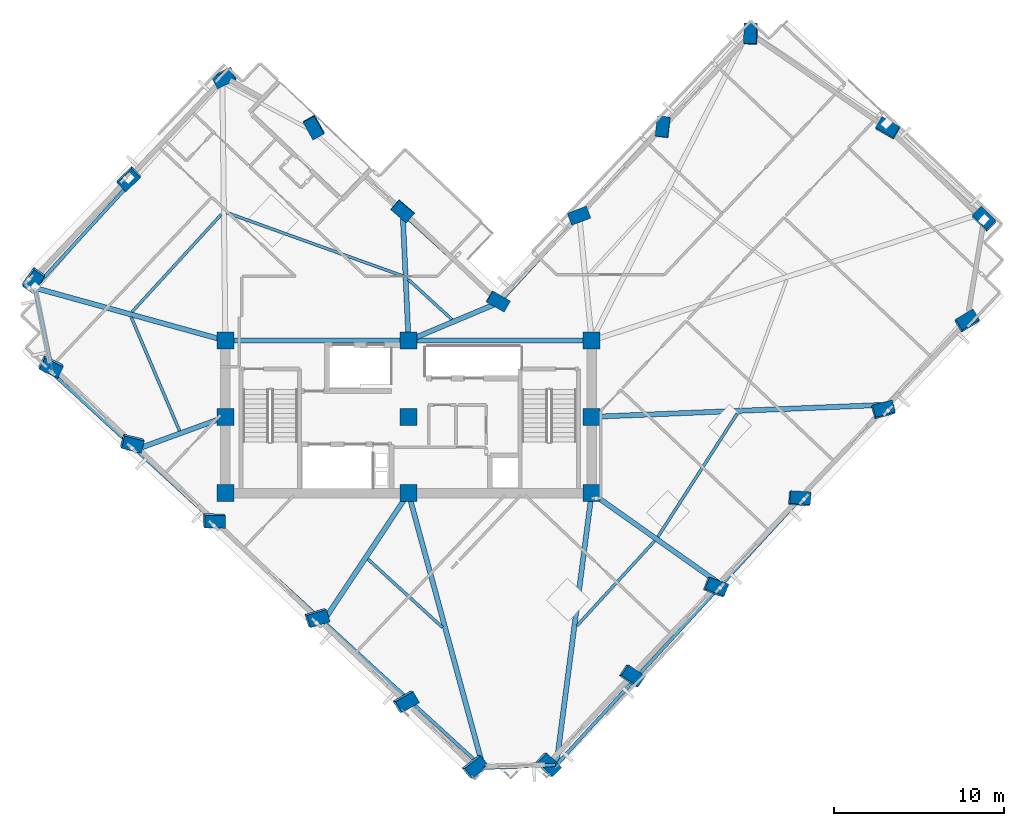
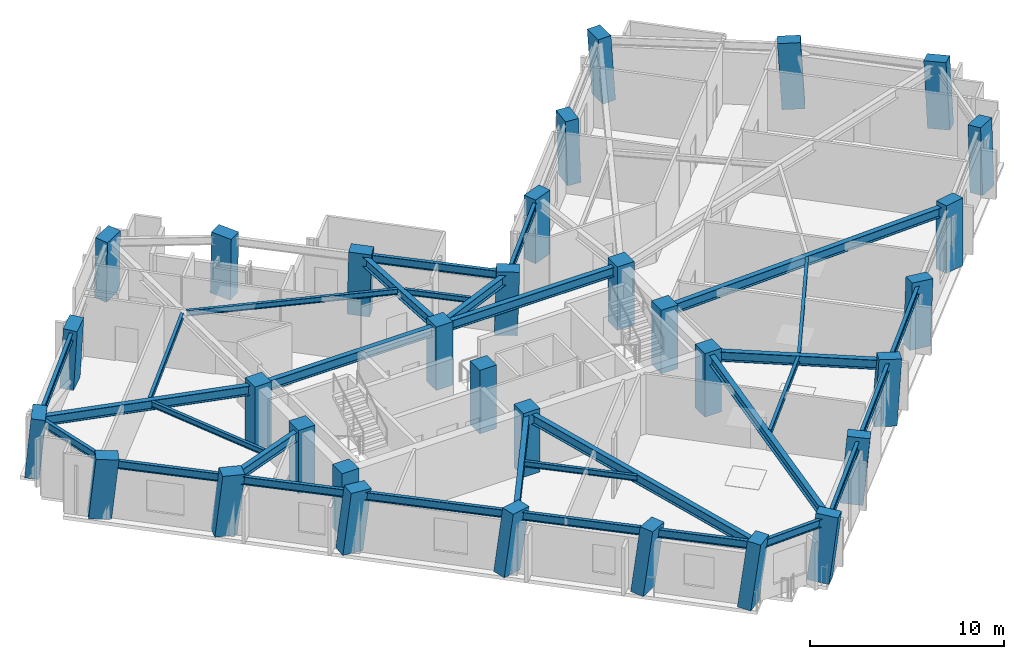
# One storey, part 1 of 12: 32 columns, 31 beams.
"""IFC4 building model written with IfcOpenShell, lengths in metres."""

from ifc_helpers import new_model, si_unit, direction, frame, origin, origin_2d, place, context, subcontext, project, spatial, rectangle, i_section, extrude, material, material_profile, profile_set, type_object, element, save


model = new_model("IFC4")

# Units and contexts
model_context = context("Model", 3, precision=1e-05, world=origin(), true_north=direction((0.0, 1.0)))
body_context = subcontext(model_context, "Body", "Model", "MODEL_VIEW")
ifc_project = project(units=[si_unit("LENGTHUNIT", "METRE"), si_unit("AREAUNIT", "SQUARE_METRE"), si_unit("VOLUMEUNIT", "CUBIC_METRE"), si_unit("PLANEANGLEUNIT", "RADIAN"), si_unit("MASSUNIT", "GRAM", prefix="KILO")], contexts=[model_context])

# Site, building, storey
site_placement = place(None, origin())
site = spatial("IfcSite", under=ifc_project, at=site_placement, CompositionType="ELEMENT")
building_placement = place(site_placement, origin())
building = spatial("IfcBuilding", under=site, at=building_placement, Name="Gaonmaruhae Medical Tower", CompositionType="ELEMENT")
storey_placement = place(building_placement, frame((0.0, 0.0, 223.199951171875)))
storey = spatial("IfcBuildingStorey", under=building, at=storey_placement, Name="L53", CompositionType="ELEMENT", Elevation=223.199951171875)

# Columns
ifc_material_1 = material(Name="Concrete C50/60", Category="concrete")
ifc_material_profile_1 = material_profile(ifc_material_1, rectangle(XDim=1.0, YDim=1.0, at=origin_2d()), Name="RC-1000x1000")
ifc_profile_set_1 = profile_set([ifc_material_profile_1], Name="Concrete C50/60")
column_type_1 = type_object("IfcColumnType", Name="CC-05 Zone 4 Core Column (RC-1000x1000)", PredefinedType="COLUMN", material=ifc_profile_set_1)
for number, where, z_axis, x_axis, name in (
    (1, (14.0, 7.800048828125, 0.0), (0.0, 0.0, 1.0), (1.0, 0.0, 0.0), "L53 Plumb Core Column CC11"),
    (2, (14.0, 12.300048828125, 0.0), (0.0, 0.0, 1.0), (1.0, 0.0, 0.0), "L53 Plumb Core Column CC12"),
    (3, (14.0, 16.800048828125, 0.0), (0.0, 0.0, 1.0), (1.0, 0.0, 0.0), "L53 Plumb Core Column CC13"),
    (4, (24.800048828125, 7.800048828125, 0.0), (0.0, 0.0, 1.0), (1.0, 0.0, 0.0), "L53 Plumb Core Column CC21"),
    (5, (24.800048828125, 12.300048828125, 0.0), (0.0, 0.0, 1.0), (1.0, 0.0, 0.0), "L53 Plumb Core Column CC22"),
    (6, (24.800048828125, 16.800048828125, 0.0), (0.0, 0.0, 1.0), (1.0, 0.0, 0.0), "L53 Plumb Core Column CC23"),
    (7, (35.60009765625, 7.800048828125, 0.0), (0.0, 0.0, 1.0), (1.0, 0.0, 0.0), "L53 Plumb Core Column CC31"),
    (8, (35.60009765625, 12.300048828125, 0.0), (0.0, 0.0, 1.0), (1.0, 0.0, 0.0), "L53 Plumb Core Column CC32"),
    (9, (35.60009765625, 16.800048828125, 0.0), (0.0, 0.0, 1.0), (1.0, 0.0, 0.0), "L53 Plumb Core Column CC33"),
):
    element("IfcColumn", number, at=place(storey_placement, frame(where, z_axis=z_axis, x_axis=x_axis)), inside=storey, type_object=column_type_1, Name=name, PredefinedType="COLUMN", context=body_context, shape_type="SweptSolid", body=[
        extrude(rectangle(XDim=1.0, YDim=1.0, at=origin_2d()), origin(), (0.0, 0.0, 1.0), 4.0),
    ])
ifc_material_profile_2 = material_profile(ifc_material_1, rectangle(XDim=1.199951171875, YDim=0.75, at=origin_2d()), Name="RC-1200x750")
ifc_profile_set_2 = profile_set([ifc_material_profile_2], Name="Concrete C50/60")
column_type_2 = type_object("IfcColumnType", Name="TC-03 Upper Raking Tube Pier Column (RC-1200x750)", PredefinedType="COLUMN", material=ifc_profile_set_2)
column_1_placement = place(storey_placement, frame((32.972900390625, -8.215576171875, 0.001953125), z_axis=(0.135580319951, -0.001452646285, 0.990765293428), x_axis=(-0.711861332419, 0.695387863485, 0.098433544709)))
element("IfcColumn", 10, at=column_1_placement, inside=storey, type_object=column_type_2, Name="L53 Perimeter Tube Column S01", PredefinedType="COLUMN", context=body_context, shape_type="SweptSolid", body=[
    extrude(rectangle(XDim=1.199951171875, YDim=0.75, at=origin_2d()), origin(), (0.0, 0.0, 1.0), 4.03369140625),
])
column_2_placement = place(storey_placement, frame((37.92431640625, -2.988525390625, 0.001953125), z_axis=(0.114260775032, 0.018750174979, 0.993273832449), x_axis=(-0.822939957929, 0.561875216484, 0.084059899743)))
element("IfcColumn", 11, at=column_2_placement, inside=storey, type_object=column_type_2, Name="L53 Perimeter Tube Column S02", PredefinedType="COLUMN", context=body_context, shape_type="SweptSolid", body=[
    extrude(rectangle(XDim=1.199951171875, YDim=0.75, at=origin_2d()), origin(), (0.0, 0.0, 1.0), 4.0234375),
])
column_3_placement = place(storey_placement, frame((42.8759765625, 2.238525390625, 0.001953125), z_axis=(0.092691560861, 0.039021627589, 0.994929940813), x_axis=(-0.932546095318, 0.353591693836, 0.073011602903)))
element("IfcColumn", 12, at=column_3_placement, inside=storey, type_object=column_type_2, Name="L53 Perimeter Tube Column S03", PredefinedType="COLUMN", context=body_context, shape_type="SweptSolid", body=[
    extrude(rectangle(XDim=1.199951171875, YDim=0.75, at=origin_2d()), origin(), (0.0, 0.0, 1.0), 4.0166015625),
])
column_4_placement = place(storey_placement, frame((47.827392578125, 7.465576171875, 0.001953125), z_axis=(0.071048146409, 0.059308170161, 0.995708140895), x_axis=(-0.995638946923, 0.064721230775, 0.067188166046)))
element("IfcColumn", 13, at=column_4_placement, inside=storey, type_object=column_type_2, Name="L53 Perimeter Tube Column S04", PredefinedType="COLUMN", context=body_context, shape_type="SweptSolid", body=[
    extrude(rectangle(XDim=1.199951171875, YDim=0.75, at=origin_2d()), origin(), (0.0, 0.0, 1.0), 4.013671875),
])
column_5_placement = place(storey_placement, frame((52.779052734375, 12.692626953125, 0.001953125), z_axis=(0.049327328127, 0.079556282601, 0.99560916659), x_axis=(-0.965366981047, -0.251889794251, 0.067956776377)))
element("IfcColumn", 14, at=column_5_placement, inside=storey, type_object=column_type_2, Name="L53 Perimeter Tube Column S05", PredefinedType="COLUMN", context=body_context, shape_type="SweptSolid", body=[
    extrude(rectangle(XDim=1.199951171875, YDim=0.75, at=origin_2d()), origin(), (0.0, 0.0, 1.0), 4.013916015625),
])
column_6_placement = place(storey_placement, frame((57.73046875, 17.919677734375, 0.001953125), z_axis=(0.027586520004, 0.099712509529, 0.994633801636), x_axis=(-0.855360520388, -0.512559421757, 0.075108051033)))
element("IfcColumn", 15, at=column_6_placement, inside=storey, type_object=column_type_2, Name="L53 Perimeter Tube Column S06", PredefinedType="COLUMN", context=body_context, shape_type="SweptSolid", body=[
    extrude(rectangle(XDim=1.199951171875, YDim=0.75, at=origin_2d()), origin(), (0.0, 0.0, 1.0), 4.017822265625),
])
column_7_placement = place(storey_placement, frame((58.735107421875, 23.924072265625, 0.001953125), z_axis=(0.002795040015, 0.103659527511, 0.994608913145), x_axis=(0.707274223895, -0.703333046982, 0.071314775726)))
element("IfcColumn", 16, at=column_7_placement, inside=storey, type_object=column_type_2, Name="L53 Perimeter Tube Column E01", PredefinedType="COLUMN", context=body_context, shape_type="SweptSolid", body=[
    extrude(rectangle(XDim=1.199951171875, YDim=0.75, at=origin_2d()), origin(), (0.0, 0.0, 1.0), 4.01806640625),
])
column_8_placement = place(storey_placement, frame((53.072509765625, 29.288330078125, 0.001953125), z_axis=(-0.019177992551, 0.080304038649, 0.996585904967), x_axis=(0.865319764741, -0.497993727643, 0.056779855376)))
element("IfcColumn", 17, at=column_8_placement, inside=storey, type_object=column_type_2, Name="L53 Perimeter Tube Column E02", PredefinedType="COLUMN", context=body_context, shape_type="SweptSolid", body=[
    extrude(rectangle(XDim=1.199951171875, YDim=0.75, at=origin_2d()), origin(), (0.0, 0.0, 1.0), 4.010009765625),
])
column_9_placement = place(storey_placement, frame((44.9990234375, 34.8701171875, 0.001953125), z_axis=(-0.042069253903, 0.046824908692, 0.998016836432), x_axis=(-0.027353525859, -0.998580716185, 0.045698335707)))
element("IfcColumn", 18, at=column_9_placement, inside=storey, type_object=column_type_2, Name="L53 Perimeter Tube Column E03", PredefinedType="COLUMN", context=body_context, shape_type="SweptSolid", body=[
    extrude(rectangle(XDim=1.199951171875, YDim=0.75, at=origin_2d()), origin(), (0.0, 0.0, 1.0), 4.00439453125),
])
column_10_placement = place(storey_placement, frame((39.806640625, 29.388916015625, 0.001953125), z_axis=(-0.019233832393, 0.025584050071, 0.999487626774), x_axis=(-0.113678552433, -0.993245812131, 0.02323668222)))
element("IfcColumn", 19, at=column_10_placement, inside=storey, type_object=column_type_2, Name="L53 Perimeter Tube Column EN01", PredefinedType="COLUMN", context=body_context, shape_type="SweptSolid", body=[
    extrude(rectangle(XDim=1.199951171875, YDim=0.75, at=origin_2d()), origin(), (0.0, 0.0, 1.0), 3.998291015625),
])
column_11_placement = place(storey_placement, frame((34.855224609375, 24.161865234375, 0.001953125), z_axis=(0.002565781789, 0.005253743664, 0.999982907325), x_axis=(-0.936541946319, -0.35052983598, 0.004244628727)))
element("IfcColumn", 20, at=column_11_placement, inside=storey, type_object=column_type_2, Name="L53 Perimeter Tube Column EN02", PredefinedType="COLUMN", context=body_context, shape_type="SweptSolid", body=[
    extrude(rectangle(XDim=1.199951171875, YDim=0.75, at=origin_2d()), origin(), (0.0, 0.0, 1.0), 3.996337890625),
])
column_12_placement = place(storey_placement, frame((30.075439453125, 19.116455078125, 0.001953125), z_axis=(0.023694224565, -0.014411951024, 0.999615365723), x_axis=(-0.867784125792, 0.496167464826, 0.027722876321)))
element("IfcColumn", 21, at=column_12_placement, inside=storey, type_object=column_type_2, Name="L53 Perimeter Tube Column KN01", PredefinedType="COLUMN", context=body_context, shape_type="SweptSolid", body=[
    extrude(rectangle(XDim=1.199951171875, YDim=0.75, at=origin_2d()), origin(), (0.0, 0.0, 1.0), 3.997802734375),
])
column_13_placement = place(storey_placement, frame((24.44921875, 24.4462890625, 0.001953125), z_axis=(0.001770365192, -0.037910233947, 0.999279580482), x_axis=(-0.757242228838, 0.652612436479, 0.026100088441)))
element("IfcColumn", 22, at=column_13_placement, inside=storey, type_object=column_type_2, Name="L53 Perimeter Tube Column NE01", PredefinedType="COLUMN", context=body_context, shape_type="SweptSolid", body=[
    extrude(rectangle(XDim=1.199951171875, YDim=0.75, at=origin_2d()), origin(), (0.0, 0.0, 1.0), 3.999267578125),
])
column_14_placement = place(storey_placement, frame((19.22216796875, 29.397705078125, 0.001953125), z_axis=(-0.018535446197, -0.059630481516, 0.998048417116), x_axis=(-0.489518212806, 0.870934944233, 0.042944641625)))
element("IfcColumn", 23, at=column_14_placement, inside=storey, type_object=column_type_2, Name="L53 Perimeter Tube Column NE02", PredefinedType="COLUMN", context=body_context, shape_type="SweptSolid", body=[
    extrude(rectangle(XDim=1.199951171875, YDim=0.75, at=origin_2d()), origin(), (0.0, 0.0, 1.0), 4.004150390625),
])
column_15_placement = place(storey_placement, frame((13.943603515625, 32.33203125, 0.001953125), z_axis=(-0.03042990979, -0.081430438597, 0.996214386696), x_axis=(0.897374901251, 0.436732761261, 0.063109284941)))
element("IfcColumn", 24, at=column_15_placement, inside=storey, type_object=column_type_2, Name="L53 Perimeter Tube Column N01", PredefinedType="COLUMN", context=body_context, shape_type="SweptSolid", body=[
    extrude(rectangle(XDim=1.199951171875, YDim=0.75, at=origin_2d()), origin(), (0.0, 0.0, 1.0), 4.011474609375),
])
column_16_placement = place(storey_placement, frame((8.30419921875, 26.37890625, 0.001953125), z_axis=(-0.005589626028, -0.10431943358, 0.994528135277), x_axis=(0.725366989524, 0.684171567726, 0.075841917333)))
element("IfcColumn", 25, at=column_16_placement, inside=storey, type_object=column_type_2, Name="L53 Perimeter Tube Column N02", PredefinedType="COLUMN", context=body_context, shape_type="SweptSolid", body=[
    extrude(rectangle(XDim=1.199951171875, YDim=0.75, at=origin_2d()), origin(), (0.0, 0.0, 1.0), 4.018310546875),
])
column_17_placement = place(storey_placement, frame((2.6650390625, 20.42578125, 0.001953125), z_axis=(0.019023806592, -0.126986938273, 0.991721943032), x_axis=(0.573464567353, 0.813909565953, 0.093218069283)))
element("IfcColumn", 26, at=column_17_placement, inside=storey, type_object=column_type_2, Name="L53 Perimeter Tube Column N03", PredefinedType="COLUMN", context=body_context, shape_type="SweptSolid", body=[
    extrude(rectangle(XDim=1.199951171875, YDim=0.75, at=origin_2d()), origin(), (0.0, 0.0, 1.0), 4.02978515625),
])
column_18_placement = place(storey_placement, frame((3.687255859375, 15.3251953125, 0.001953125), z_axis=(0.039983086143, -0.122675377938, 0.991641116771), x_axis=(-0.901569869331, 0.4234359127, 0.088734427086)))
element("IfcColumn", 27, at=column_18_placement, inside=storey, type_object=column_type_2, Name="L53 Perimeter Tube Column W01", PredefinedType="COLUMN", context=body_context, shape_type="SweptSolid", body=[
    extrude(rectangle(XDim=1.199951171875, YDim=0.75, at=origin_2d()), origin(), (0.0, 0.0, 1.0), 4.030029296875),
])
column_19_placement = place(storey_placement, frame((8.478759765625, 10.7861328125, 0.001953125), z_axis=(0.058538433581, -0.102882055288, 0.992969553659), x_axis=(-0.968698482416, 0.23451306813, 0.081405595887)))
element("IfcColumn", 28, at=column_19_placement, inside=storey, type_object=column_type_2, Name="L53 Perimeter Tube Column W02", PredefinedType="COLUMN", context=body_context, shape_type="SweptSolid", body=[
    extrude(rectangle(XDim=1.199951171875, YDim=0.75, at=origin_2d()), origin(), (0.0, 0.0, 1.0), 4.024658203125),
])
column_20_placement = place(storey_placement, frame((13.306640625, 6.212890625, 0.001953125), z_axis=(0.077207538593, -0.082913127137, 0.99356147738), x_axis=(-0.99694579508, 0.005324762158, 0.07791488035)))
element("IfcColumn", 29, at=column_20_placement, inside=storey, type_object=column_type_2, Name="L53 Perimeter Tube Column W03", PredefinedType="COLUMN", context=body_context, shape_type="SweptSolid", body=[
    extrude(rectangle(XDim=1.199951171875, YDim=0.75, at=origin_2d()), origin(), (0.0, 0.0, 1.0), 4.022216796875),
])
column_21_placement = place(storey_placement, frame((19.368408203125, 0.470458984375, 0.001953125), z_axis=(0.100665187727, -0.057765677345, 0.993241987886), x_axis=(-0.953785966776, -0.289691876301, 0.07981820836)))
element("IfcColumn", 30, at=column_21_placement, inside=storey, type_object=column_type_2, Name="L53 Perimeter Tube Column W04", PredefinedType="COLUMN", context=body_context, shape_type="SweptSolid", body=[
    extrude(rectangle(XDim=1.199951171875, YDim=0.75, at=origin_2d()), origin(), (0.0, 0.0, 1.0), 4.0234375),
])
column_22_placement = place(storey_placement, frame((24.595458984375, -4.481201171875, 0.001953125), z_axis=(0.120723933521, -0.035999004273, 0.992033166566), x_axis=(-0.861247504646, -0.5007462014, 0.086637044757)))
element("IfcColumn", 31, at=column_22_placement, inside=storey, type_object=column_type_2, Name="L53 Perimeter Tube Column W05", PredefinedType="COLUMN", context=body_context, shape_type="SweptSolid", body=[
    extrude(rectangle(XDim=1.199951171875, YDim=0.75, at=origin_2d()), origin(), (0.0, 0.0, 1.0), 4.0283203125),
])
column_23_placement = place(storey_placement, frame((28.6611328125, -8.332275390625, 0.001953125), z_axis=(0.13614947876, -0.019181948785, 0.990502585698), x_axis=(-0.775809563107, -0.623841628814, 0.094557622375)))
element("IfcColumn", 32, at=column_23_placement, inside=storey, type_object=column_type_2, Name="L53 Perimeter Tube Column W06", PredefinedType="COLUMN", context=body_context, shape_type="SweptSolid", body=[
    extrude(rectangle(XDim=1.199951171875, YDim=0.75, at=origin_2d()), origin(), (0.0, 0.0, 1.0), 4.03466796875),
])

# Beams
ifc_material_2 = material(Name="Steel SM355", Category="steel")
ifc_material_profile_3 = material_profile(ifc_material_2, i_section(OverallWidth=0.175048828125, OverallDepth=0.35009765625, WebThickness=0.007080078125, FlangeThickness=0.010986328125, FilletRadius=0.012939453125, at=origin_2d()), Name="H-350x175x7x11")
ifc_profile_set_3 = profile_set([ifc_material_profile_3], Name="Steel SM355")
beam_type_1 = type_object("IfcBeamType", Name="FJ-02 Upper Zone Ward Floor Joist (H-350x175x7x11)", PredefinedType="JOIST", material=ifc_profile_set_3)
beam_1_placement = place(storey_placement, frame((34.740234375, -0.013916015625, 3.60498046875), z_axis=(0.675610410097, 0.737258824138, 0.0), x_axis=(-0.737258824138, 0.675610410097, 0.0)))
element("IfcBeam", 33, at=beam_1_placement, inside=storey, type_object=beam_type_1, Name="L53 Secondary Floor Joist FJ01", PredefinedType="JOIST", context=body_context, shape_type="SweptSolid", body=[
    extrude(i_section(OverallWidth=0.175048828125, OverallDepth=0.35009765625, WebThickness=0.007080078125, FlangeThickness=0.010986328125, FilletRadius=0.012939453125, at=origin_2d()), origin(), (0.0, 0.0, 1.0), 6.77587890625),
])
beam_2_placement = place(storey_placement, frame((39.5087890625, 5.22900390625, 3.60498046875), z_axis=(0.541172983423, 0.840911292594, 0.0), x_axis=(-0.840911292594, 0.541172983423, 0.0)))
element("IfcBeam", 34, at=beam_2_placement, inside=storey, type_object=beam_type_1, Name="L53 Secondary Floor Joist FJ02", PredefinedType="JOIST", context=body_context, shape_type="SweptSolid", body=[
    extrude(i_section(OverallWidth=0.175048828125, OverallDepth=0.35009765625, WebThickness=0.007080078125, FlangeThickness=0.010986328125, FilletRadius=0.012939453125, at=origin_2d()), origin(), (0.0, 0.0, 1.0), 8.642822265625),
])
beam_3_placement = place(storey_placement, frame((27.35888671875, 18.044921875, 3.60498046875), z_axis=(-0.737255899786, 0.675613601277, 0.0), x_axis=(-0.675613601277, -0.737255899786, 0.0)))
element("IfcBeam", 35, at=beam_3_placement, inside=storey, type_object=beam_type_1, Name="L53 Secondary Floor Joist FJ07", PredefinedType="JOIST", context=body_context, shape_type="SweptSolid", body=[
    extrude(i_section(OverallWidth=0.175048828125, OverallDepth=0.35009765625, WebThickness=0.007080078125, FlangeThickness=0.010986328125, FilletRadius=0.012939453125, at=origin_2d()), origin(), (0.0, 0.0, 1.0), 3.4853515625),
])
beam_4_placement = place(storey_placement, frame((24.4697265625, 20.604248046875, 3.60498046875), z_axis=(-0.940966493578, 0.338499716341, 0.0), x_axis=(-0.338499716341, -0.940966493578, 0.0)))
element("IfcBeam", 36, at=beam_4_placement, inside=storey, type_object=beam_type_1, Name="L53 Secondary Floor Joist FJ08", PredefinedType="JOIST", context=body_context, shape_type="SweptSolid", body=[
    extrude(i_section(OverallWidth=0.175048828125, OverallDepth=0.35009765625, WebThickness=0.007080078125, FlangeThickness=0.010986328125, FilletRadius=0.012939453125, at=origin_2d()), origin(), (0.0, 0.0, 1.0), 11.05517578125),
])
beam_5_placement = place(storey_placement, frame((13.758544921875, 24.236572265625, 3.60498046875), z_axis=(-0.675588555011, -0.73727885114, 0.0), x_axis=(0.73727885114, -0.675588555011, 0.0)))
element("IfcBeam", 37, at=beam_5_placement, inside=storey, type_object=beam_type_1, Name="L53 Secondary Floor Joist FJ09", PredefinedType="JOIST", context=body_context, shape_type="SweptSolid", body=[
    extrude(i_section(OverallWidth=0.175048828125, OverallDepth=0.35009765625, WebThickness=0.007080078125, FlangeThickness=0.010986328125, FilletRadius=0.012939453125, at=origin_2d()), origin(), (0.0, 0.0, 1.0), 7.80029296875),
])
beam_6_placement = place(storey_placement, frame((8.4482421875, 18.175048828125, 3.60498046875), z_axis=(0.39141915208, -0.920212501211, 0.0), x_axis=(0.920212501211, 0.39141915208, 0.0)))
element("IfcBeam", 38, at=beam_6_placement, inside=storey, type_object=beam_type_1, Name="L53 Secondary Floor Joist FJ10", PredefinedType="JOIST", context=body_context, shape_type="SweptSolid", body=[
    extrude(i_section(OverallWidth=0.175048828125, OverallDepth=0.35009765625, WebThickness=0.007080078125, FlangeThickness=0.010986328125, FilletRadius=0.012939453125, at=origin_2d()), origin(), (0.0, 0.0, 1.0), 7.27587890625),
])
beam_7_placement = place(storey_placement, frame((22.403076171875, 3.912353515625, 3.60498046875), z_axis=(0.73728175069, -0.675585390679, 0.0), x_axis=(0.675585390679, 0.73728175069, 0.0)))
element("IfcBeam", 39, at=beam_7_placement, inside=storey, type_object=beam_type_1, Name="L53 Secondary Floor Joist FJ12", PredefinedType="JOIST", context=body_context, shape_type="SweptSolid", body=[
    extrude(i_section(OverallWidth=0.175048828125, OverallDepth=0.35009765625, WebThickness=0.007080078125, FlangeThickness=0.010986328125, FilletRadius=0.012939453125, at=origin_2d()), origin(), (0.0, 0.0, 1.0), 5.95556640625),
])
ifc_material_3 = material(Name="Steel SM420", Category="steel")
ifc_material_profile_4 = material_profile(ifc_material_3, i_section(OverallWidth=0.300048828125, OverallDepth=0.60009765625, WebThickness=0.011962890625, FlangeThickness=0.02001953125, FilletRadius=0.012939453125, at=origin_2d()), Name="H-600x300x12x20")
ifc_profile_set_4 = profile_set([ifc_material_profile_4], Name="Steel SM420")
beam_type_2 = type_object("IfcBeamType", Name="PG-04 Zone 4 Radial Floor Girder (H-600x300x12x20)", PredefinedType="BEAM", material=ifc_profile_set_4)
for number, where, z_axis, x_axis, name in (
    (40, (14.050048828125, 16.800048828125, 3.47998046875), (1.0, 0.0, 0.0), (0.0, 1.0, 0.0), "L53 Beam BM-L53-CG-N1"),
    (41, (24.85009765625, 16.800048828125, 3.47998046875), (1.0, 0.0, 0.0), (0.0, 1.0, 0.0), "L53 Beam BM-L53-CG-N2"),
):
    element("IfcBeam", number, at=place(storey_placement, frame(where, z_axis=z_axis, x_axis=x_axis)), inside=storey, type_object=beam_type_2, Name=name, PredefinedType="BEAM", context=body_context, shape_type="SweptSolid", body=[
        extrude(i_section(OverallWidth=0.300048828125, OverallDepth=0.60009765625, WebThickness=0.011962890625, FlangeThickness=0.02001953125, FilletRadius=0.012939453125, at=origin_2d()), origin(), (0.0, 0.0, 1.0), 10.699951171875),
    ])
beam_8_placement = place(storey_placement, frame((35.593505859375, 7.75048828125, 3.47998046875), z_axis=(-0.12874566273, -0.991677646379, 0.0), x_axis=(0.991677646379, -0.12874566273, 0.0)))
element("IfcBeam", 42, at=beam_8_placement, inside=storey, type_object=beam_type_2, Name="L53 Radial Primary Girder S01", PredefinedType="BEAM", context=body_context, shape_type="SweptSolid", body=[
    extrude(i_section(OverallWidth=0.300048828125, OverallDepth=0.60009765625, WebThickness=0.011962890625, FlangeThickness=0.02001953125, FilletRadius=0.012939453125, at=origin_2d()), origin(), (0.0, 0.0, 1.0), 16.055908203125),
])
beam_9_placement = place(storey_placement, frame((35.640869140625, 7.771240234375, 3.47998046875), z_axis=(0.816683698181, -0.577085554425, 0.0), x_axis=(0.577085554425, 0.816683698181, 0.0)))
element("IfcBeam", 43, at=beam_9_placement, inside=storey, type_object=beam_type_2, Name="L53 Radial Primary Girder S03", PredefinedType="BEAM", context=body_context, shape_type="SweptSolid", body=[
    extrude(i_section(OverallWidth=0.300048828125, OverallDepth=0.60009765625, WebThickness=0.011962890625, FlangeThickness=0.02001953125, FilletRadius=0.012939453125, at=origin_2d()), origin(), (0.0, 0.0, 1.0), 9.265380859375),
])
beam_10_placement = place(storey_placement, frame((35.64990234375, 12.302001953125, 3.47998046875), z_axis=(0.999161394204, 0.040945186926, 0.0), x_axis=(-0.040945186926, 0.999161394204, 0.0)))
element("IfcBeam", 44, at=beam_10_placement, inside=storey, type_object=beam_type_2, Name="L53 Radial Primary Girder S05", PredefinedType="BEAM", context=body_context, shape_type="SweptSolid", body=[
    extrude(i_section(OverallWidth=0.300048828125, OverallDepth=0.60009765625, WebThickness=0.011962890625, FlangeThickness=0.02001953125, FilletRadius=0.012939453125, at=origin_2d()), origin(), (0.0, 0.0, 1.0), 17.29150390625),
])
beam_11_placement = place(storey_placement, frame((24.84619140625, 16.8193359375, 3.47998046875), z_axis=(0.921777377645, 0.387719571419, 0.0), x_axis=(-0.387719571419, 0.921777377645, 0.0)))
element("IfcBeam", 45, at=beam_11_placement, inside=storey, type_object=beam_type_2, Name="L53 Radial Primary Girder KN01", PredefinedType="BEAM", context=body_context, shape_type="SweptSolid", body=[
    extrude(i_section(OverallWidth=0.300048828125, OverallDepth=0.60009765625, WebThickness=0.011962890625, FlangeThickness=0.02001953125, FilletRadius=0.012939453125, at=origin_2d()), origin(), (0.0, 0.0, 1.0), 5.725830078125),
])
beam_12_placement = place(storey_placement, frame((24.797607421875, 16.849853515625, 3.47998046875), z_axis=(-0.045810088867, 0.998950166804, 0.0), x_axis=(-0.998950166804, -0.045810088867, 0.0)))
element("IfcBeam", 46, at=beam_12_placement, inside=storey, type_object=beam_type_2, Name="L53 Radial Primary Girder NE01", PredefinedType="BEAM", context=body_context, shape_type="SweptSolid", body=[
    extrude(i_section(OverallWidth=0.300048828125, OverallDepth=0.60009765625, WebThickness=0.011962890625, FlangeThickness=0.02001953125, FilletRadius=0.012939453125, at=origin_2d()), origin(), (0.0, 0.0, 1.0), 7.402587890625),
])
beam_13_placement = place(storey_placement, frame((13.951904296875, 16.813232421875, 3.47998046875), z_axis=(-0.963814808055, 0.26657272136, 0.0), x_axis=(-0.26657272136, -0.963814808055, 0.0)))
element("IfcBeam", 47, at=beam_13_placement, inside=storey, type_object=beam_type_2, Name="L53 Radial Primary Girder N03", PredefinedType="BEAM", context=body_context, shape_type="SweptSolid", body=[
    extrude(i_section(OverallWidth=0.300048828125, OverallDepth=0.60009765625, WebThickness=0.011962890625, FlangeThickness=0.02001953125, FilletRadius=0.012939453125, at=origin_2d()), origin(), (0.0, 0.0, 1.0), 11.580810546875),
])
beam_14_placement = place(storey_placement, frame((13.953125, 12.282958984375, 3.47998046875), z_axis=(-0.939434326816, -0.342728968137, 0.0), x_axis=(0.342728968137, -0.939434326816, 0.0)))
element("IfcBeam", 48, at=beam_14_placement, inside=storey, type_object=beam_type_2, Name="L53 Radial Primary Girder W02", PredefinedType="BEAM", context=body_context, shape_type="SweptSolid", body=[
    extrude(i_section(OverallWidth=0.300048828125, OverallDepth=0.60009765625, WebThickness=0.011962890625, FlangeThickness=0.02001953125, FilletRadius=0.012939453125, at=origin_2d()), origin(), (0.0, 0.0, 1.0), 5.5263671875),
])
beam_15_placement = place(storey_placement, frame((24.772216796875, 7.75830078125, 3.47998046875), z_axis=(-0.553551546356, -0.832814916729, 0.0), x_axis=(0.832814916729, -0.553551546356, 0.0)))
element("IfcBeam", 49, at=beam_15_placement, inside=storey, type_object=beam_type_2, Name="L53 Radial Primary Girder W04", PredefinedType="BEAM", context=body_context, shape_type="SweptSolid", body=[
    extrude(i_section(OverallWidth=0.300048828125, OverallDepth=0.60009765625, WebThickness=0.011962890625, FlangeThickness=0.02001953125, FilletRadius=0.012939453125, at=origin_2d()), origin(), (0.0, 0.0, 1.0), 8.97998046875),
])
beam_16_placement = place(storey_placement, frame((24.813232421875, 7.751708984375, 3.47998046875), z_axis=(0.262563146499, -0.964914811836, 0.0), x_axis=(0.964914811836, 0.262563146499, 0.0)))
element("IfcBeam", 50, at=beam_16_placement, inside=storey, type_object=beam_type_2, Name="L53 Radial Primary Girder W06", PredefinedType="BEAM", context=body_context, shape_type="SweptSolid", body=[
    extrude(i_section(OverallWidth=0.300048828125, OverallDepth=0.60009765625, WebThickness=0.011962890625, FlangeThickness=0.02001953125, FilletRadius=0.012939453125, at=origin_2d()), origin(), (0.0, 0.0, 1.0), 16.698974609375),
])
ifc_material_profile_5 = material_profile(ifc_material_2, i_section(OverallWidth=0.199951171875, OverallDepth=0.5, WebThickness=0.010009765625, FlangeThickness=0.01611328125, FilletRadius=0.012939453125, at=origin_2d()), Name="H-500x200x10x16")
ifc_profile_set_5 = profile_set([ifc_material_profile_5], Name="Steel SM355")
beam_type_3 = type_object("IfcBeamType", Name="SP-02 Upper Perimeter Spandrel Beam (H-500x200x10x16)", PredefinedType="SPANDREL", material=ifc_profile_set_5)
for number, where, z_axis, x_axis, name in (
    (51, (33.547119140625, -8.19189453125, 3.530029296875), (0.675589525921, 0.737277961467, 0.0), (-0.737277961467, 0.675589525921, 0.0), "L53 Perimeter Spandrel Beam S01-S02"),
    (52, (38.411376953125, -2.883544921875, 3.530029296875), (0.675572446215, 0.737293611741, 0.0), (-0.737293611741, 0.675572446215, 0.0), "L53 Perimeter Spandrel Beam S02-S03"),
    (53, (43.275634765625, 2.4248046875, 3.530029296875), (0.675572446215, 0.737293611741, 0.0), (-0.737293611741, 0.675572446215, 0.0), "L53 Perimeter Spandrel Beam S03-S04"),
):
    element("IfcBeam", number, at=place(storey_placement, frame(where, z_axis=z_axis, x_axis=x_axis)), inside=storey, type_object=beam_type_3, Name=name, PredefinedType="SPANDREL", context=body_context, shape_type="SweptSolid", body=[
        extrude(i_section(OverallWidth=0.199951171875, OverallDepth=0.5, WebThickness=0.010009765625, FlangeThickness=0.01611328125, FilletRadius=0.012939453125, at=origin_2d()), origin(), (0.0, 0.0, 1.0), 7.119873046875),
    ])
beam_17_placement = place(storey_placement, frame((34.838623046875, 24.1533203125, 3.530029296875), z_axis=(-0.675605535175, -0.737263291397, 0.0), x_axis=(0.737263291397, -0.675605535175, 0.0)))
element("IfcBeam", 54, at=beam_17_placement, inside=storey, type_object=beam_type_3, Name="L53 Perimeter Spandrel Beam EN02-KN01", PredefinedType="SPANDREL", context=body_context, shape_type="SweptSolid", body=[
    extrude(i_section(OverallWidth=0.199951171875, OverallDepth=0.5, WebThickness=0.010009765625, FlangeThickness=0.01611328125, FilletRadius=0.012939453125, at=origin_2d()), origin(), (0.0, 0.0, 1.0), 6.869873046875),
])
beam_18_placement = place(storey_placement, frame((30.140625, 19.085693359375, 3.530029296875), z_axis=(-0.737262475192, 0.675606425868, 0.0), x_axis=(-0.675606425868, -0.737262475192, 0.0)))
element("IfcBeam", 55, at=beam_18_placement, inside=storey, type_object=beam_type_3, Name="L53 Perimeter Spandrel Beam KN01-NE01", PredefinedType="SPANDREL", context=body_context, shape_type="SweptSolid", body=[
    extrude(i_section(OverallWidth=0.199951171875, OverallDepth=0.5, WebThickness=0.010009765625, FlangeThickness=0.01611328125, FilletRadius=0.012939453125, at=origin_2d()), origin(), (0.0, 0.0, 1.0), 7.669921875),
])
beam_19_placement = place(storey_placement, frame((8.254638671875, 25.929931640625, 3.530029296875), z_axis=(-0.675600721115, -0.737267702825, 0.0), x_axis=(0.737267702825, -0.675600721115, 0.0)))
element("IfcBeam", 56, at=beam_19_placement, inside=storey, type_object=beam_type_3, Name="L53 Perimeter Spandrel Beam N02-N03", PredefinedType="SPANDREL", context=body_context, shape_type="SweptSolid", body=[
    extrude(i_section(OverallWidth=0.199951171875, OverallDepth=0.5, WebThickness=0.010009765625, FlangeThickness=0.01611328125, FilletRadius=0.012939453125, at=origin_2d()), origin(), (0.0, 0.0, 1.0), 8.119873046875),
])
beam_20_placement = place(storey_placement, frame((2.750244140625, 19.874755859375, 3.530029296875), z_axis=(0.212724480447, -0.977112222531, 0.0), x_axis=(0.977112222531, 0.212724480447, 0.0)))
element("IfcBeam", 57, at=beam_20_placement, inside=storey, type_object=beam_type_3, Name="L53 Perimeter Spandrel Beam N03-W01", PredefinedType="SPANDREL", context=body_context, shape_type="SweptSolid", body=[
    extrude(i_section(OverallWidth=0.199951171875, OverallDepth=0.5, WebThickness=0.010009765625, FlangeThickness=0.01611328125, FilletRadius=0.012939453125, at=origin_2d()), origin(), (0.0, 0.0, 1.0), 5.1220703125),
])
beam_21_placement = place(storey_placement, frame((3.8779296875, 14.8037109375, 3.530029296875), z_axis=(0.737287796591, -0.67557879259, 0.0), x_axis=(0.67557879259, 0.737287796591, 0.0)))
element("IfcBeam", 58, at=beam_21_placement, inside=storey, type_object=beam_type_3, Name="L53 Perimeter Spandrel Beam W01-W02", PredefinedType="SPANDREL", context=body_context, shape_type="SweptSolid", body=[
    extrude(i_section(OverallWidth=0.199951171875, OverallDepth=0.5, WebThickness=0.010009765625, FlangeThickness=0.01611328125, FilletRadius=0.012939453125, at=origin_2d()), origin(), (0.0, 0.0, 1.0), 6.52001953125),
])
beam_22_placement = place(storey_placement, frame((8.743896484375, 10.3447265625, 3.530029296875), z_axis=(0.737294491496, -0.675571486084, 0.0), x_axis=(0.675571486084, 0.737294491496, 0.0)))
element("IfcBeam", 59, at=beam_22_placement, inside=storey, type_object=beam_type_3, Name="L53 Perimeter Spandrel Beam W02-W03", PredefinedType="SPANDREL", context=body_context, shape_type="SweptSolid", body=[
    extrude(i_section(OverallWidth=0.199951171875, OverallDepth=0.5, WebThickness=0.010009765625, FlangeThickness=0.01611328125, FilletRadius=0.012939453125, at=origin_2d()), origin(), (0.0, 0.0, 1.0), 6.570068359375),
])
beam_23_placement = place(storey_placement, frame((13.646728515625, 5.85205078125, 3.530029296875), z_axis=(0.737282793108, -0.675584253064, 0.0), x_axis=(0.675584253064, 0.737282793108, 0.0)))
element("IfcBeam", 60, at=beam_23_placement, inside=storey, type_object=beam_type_3, Name="L53 Perimeter Spandrel Beam W03-W04", PredefinedType="SPANDREL", context=body_context, shape_type="SweptSolid", body=[
    extrude(i_section(OverallWidth=0.199951171875, OverallDepth=0.5, WebThickness=0.010009765625, FlangeThickness=0.01611328125, FilletRadius=0.012939453125, at=origin_2d()), origin(), (0.0, 0.0, 1.0), 8.27001953125),
])
beam_24_placement = place(storey_placement, frame((19.80322265625, 0.2109375, 3.530029296875), z_axis=(0.737260881671, -0.67560816481, 0.0), x_axis=(0.67560816481, 0.737260881671, 0.0)))
element("IfcBeam", 61, at=beam_24_placement, inside=storey, type_object=beam_type_3, Name="L53 Perimeter Spandrel Beam W04-W05", PredefinedType="SPANDREL", context=body_context, shape_type="SweptSolid", body=[
    extrude(i_section(OverallWidth=0.199951171875, OverallDepth=0.5, WebThickness=0.010009765625, FlangeThickness=0.01611328125, FilletRadius=0.012939453125, at=origin_2d()), origin(), (0.0, 0.0, 1.0), 7.119873046875),
])
beam_25_placement = place(storey_placement, frame((25.111572265625, -4.6533203125, 3.530029296875), z_axis=(0.737282638744, -0.675584421525, 0.0), x_axis=(0.675584421525, 0.737282638744, 0.0)))
element("IfcBeam", 62, at=beam_25_placement, inside=storey, type_object=beam_type_3, Name="L53 Perimeter Spandrel Beam W05-W06", PredefinedType="SPANDREL", context=body_context, shape_type="SweptSolid", body=[
    extrude(i_section(OverallWidth=0.199951171875, OverallDepth=0.5, WebThickness=0.010009765625, FlangeThickness=0.01611328125, FilletRadius=0.012939453125, at=origin_2d()), origin(), (0.0, 0.0, 1.0), 5.52001953125),
])
beam_26_placement = place(storey_placement, frame((29.250732421875, -8.407958984375, 3.530029296875), z_axis=(0.999046558404, 0.04365746376, 0.0), x_axis=(-0.04365746376, 0.999046558404, 0.0)))
element("IfcBeam", 63, at=beam_26_placement, inside=storey, type_object=beam_type_3, Name="L53 Perimeter Spandrel Beam W06-S01", PredefinedType="SPANDREL", context=body_context, shape_type="SweptSolid", body=[
    extrude(i_section(OverallWidth=0.199951171875, OverallDepth=0.5, WebThickness=0.010009765625, FlangeThickness=0.01611328125, FilletRadius=0.012939453125, at=origin_2d()), origin(), (0.0, 0.0, 1.0), 4.2333984375),
])

save(model, "model.ifc")
